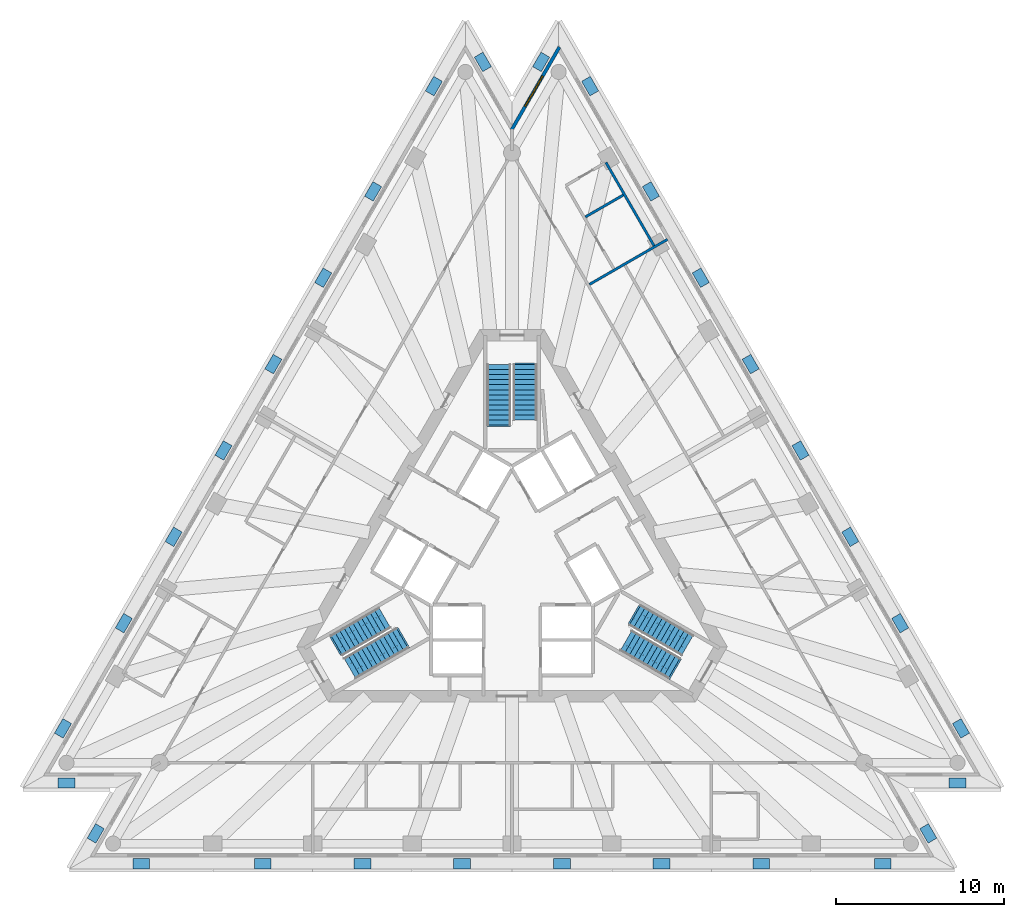
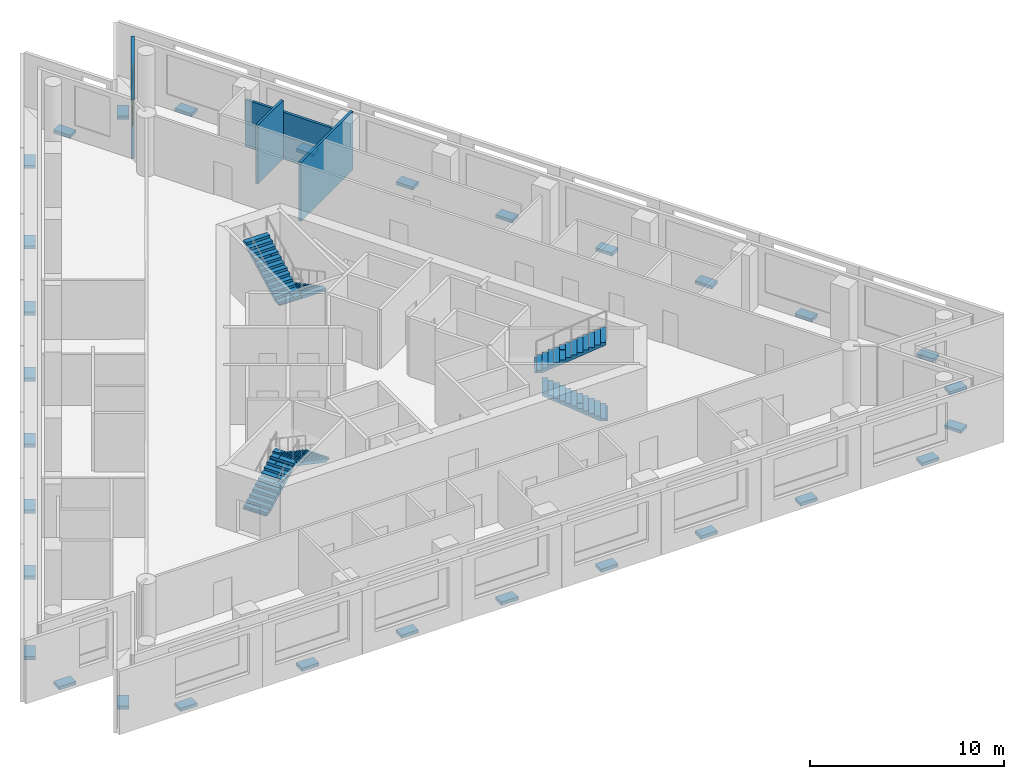
# One storey, part 7 of 9: 30 discrete accessories, 6 stair flights, 4 walls, 1 window, 1 opening, 3 elements without a shape of their own.
"""IFC4 building model written with IfcOpenShell, lengths in metres."""

import ifcopenshell
import ifcopenshell.guid

model = None  # the IFC model being written
_history = None  # IfcOwnerHistory: only IFC2X3 demands one
_inside = {}  # id of a spatial element -> (the spatial element, [elements in it])
_under = {}  # id of a project, library or spatial element -> (it, [spatial elements below it])
_declared = {}  # id of a project -> (the project, [libraries it declares])
_typed = {}  # id of a type object -> (the type object, [elements of that type])
_made_of = {}  # id of a material, layer set ... -> (it, [elements and type objects made of it])


def new_model(schema):
    """Start an empty IFC model of exactly this schema.

    Asked for "IFC4X3", IfcOpenShell would pick the latest addendum, in which some entities
    have other attributes; the version numbers below select the first issue.
    IFC2X3 requires an IfcOwnerHistory on every rooted entity: one is made here for all.
    """
    global model, _history
    if schema == "IFC4X3":
        model = ifcopenshell.file(schema_version=(4, 3, 0, 0))
    else:
        model = ifcopenshell.file(schema=schema)
    _inside.clear()
    _under.clear()
    _declared.clear()
    _typed.clear()
    _made_of.clear()
    _history = None
    if model.schema == "IFC2X3":
        org = make("IfcOrganization", Name="unknown")
        user = make(
            "IfcPersonAndOrganization",
            ThePerson=make("IfcPerson", FamilyName="unknown"),
            TheOrganization=org,
        )
        app = make(
            "IfcApplication",
            ApplicationDeveloper=org,
            Version="unknown",
            ApplicationFullName="unknown",
            ApplicationIdentifier="unknown",
        )
        _history = make(
            "IfcOwnerHistory",
            OwningUser=user,
            OwningApplication=app,
            ChangeAction="ADDED",
            CreationDate=0,
        )
    return model


def make(cls, **values):
    """One entity of the class cls with the attributes given. An attribute that is None is left unset."""
    return model.create_entity(
        cls, **{name: value for name, value in values.items() if value is not None}
    )


def rooted(cls, **values):
    """An entity with a GlobalId (a new one), such as an element, a storey or a relation."""
    return make(cls, GlobalId=ifcopenshell.guid.new(), OwnerHistory=_history, **values)


def si_unit(unit_type, name, prefix=None):
    """IfcSIUnit, for example si_unit("LENGTHUNIT", "METRE", prefix="MILLI")."""
    return make("IfcSIUnit", UnitType=unit_type, Prefix=prefix, Name=name)


def assignment(units):
    """IfcUnitAssignment: the units of a project."""
    return None if units is None else make("IfcUnitAssignment", Units=units)


def point(xyz):
    """IfcCartesianPoint."""
    return None if xyz is None else make("IfcCartesianPoint", Coordinates=xyz)


def direction(xyz):
    """IfcDirection."""
    return None if xyz is None else make("IfcDirection", DirectionRatios=xyz)


def frame(location, z_axis=None, x_axis=None):
    """IfcAxis2Placement3D, a coordinate frame: its origin and axes. An axis left out is left unset."""
    return make(
        "IfcAxis2Placement3D",
        Location=point(location),
        Axis=direction(z_axis),
        RefDirection=direction(x_axis),
    )


def frame_2d(location, x_axis=None):
    """IfcAxis2Placement2D, a coordinate frame in the plane: its origin and x axis."""
    return make(
        "IfcAxis2Placement2D", Location=point(location), RefDirection=direction(x_axis)
    )


def origin():
    """The frame at (0, 0, 0) with its axes left unset."""
    return frame((0.0, 0.0, 0.0))


def origin_2d():
    """The frame at (0, 0) in the plane with its x axis left unset."""
    return frame_2d((0.0, 0.0))


def place(relative_to, where):
    """IfcLocalPlacement: puts the frame where relative to a parent placement (None: the world)."""
    return make(
        "IfcLocalPlacement", PlacementRelTo=relative_to, RelativePlacement=where
    )


def context(
    kind, dimensions, precision=None, world=None, true_north=None, identifier=None
):
    """IfcGeometricRepresentationContext, for example the 3D "Model" context."""
    return make(
        "IfcGeometricRepresentationContext",
        ContextIdentifier=identifier,
        ContextType=kind,
        CoordinateSpaceDimension=dimensions,
        Precision=precision,
        WorldCoordinateSystem=world,
        TrueNorth=true_north,
    )


def subcontext(parent, identifier, kind, view, scale=None):
    """IfcGeometricRepresentationSubContext, for example "Body" below "Model"."""
    return make(
        "IfcGeometricRepresentationSubContext",
        ContextIdentifier=identifier,
        ContextType=kind,
        ParentContext=parent,
        TargetScale=scale,
        TargetView=view,
    )


def project(units=None, contexts=None):
    """IfcProject with its units and contexts."""
    return rooted(
        "IfcProject",
        Name="project",
        RepresentationContexts=contexts,
        UnitsInContext=assignment(units),
    )


def spatial(cls, under=None, at=None, **own):
    """A site, building, storey or space (cls), placed at a placement, below another one or the project."""
    s = rooted(cls, ObjectPlacement=at, **own)
    if under is not None:
        _under.setdefault(under.id(), (under, []))[1].append(s)
    return s


def polyline(points):
    """IfcPolyline through the points."""
    return make("IfcPolyline", Points=[point(p) for p in points])


def profile(cls, at=None, kind="AREA", **sizes):
    """A parametric profile (cls). Its sizes go by their IFC names, for example OverallWidth=200.0."""
    return make(cls, ProfileType=kind, Position=at, **sizes)


def rectangle(**sizes):
    """IfcRectangleProfileDef."""
    return profile("IfcRectangleProfileDef", **sizes)


def outline(outer, holes=None, kind="AREA"):
    """IfcArbitraryClosedProfileDef: a profile drawn as a closed curve; with holes, ...WithVoids."""
    if holes is None:
        return make("IfcArbitraryClosedProfileDef", ProfileType=kind, OuterCurve=outer)
    return make(
        "IfcArbitraryProfileDefWithVoids",
        ProfileType=kind,
        OuterCurve=outer,
        InnerCurves=holes,
    )


def extrude(swept, where, along, depth):
    """IfcExtrudedAreaSolid: the profile swept, set in the frame where, extruded along a direction by depth."""
    return make(
        "IfcExtrudedAreaSolid",
        SweptArea=swept,
        Position=where,
        ExtrudedDirection=direction(along),
        Depth=depth,
    )


def shape(context_of_items, identifier, shape_type, items):
    """IfcShapeRepresentation: the items that make up one representation, for example the "Body"."""
    return make(
        "IfcShapeRepresentation",
        ContextOfItems=context_of_items,
        RepresentationIdentifier=identifier,
        RepresentationType=shape_type,
        Items=items,
    )


def material(Name=None, Category=None):
    """IfcMaterial."""
    return make("IfcMaterial", Name=Name, Category=Category)


def layer(
    of_material, thickness, ventilated=None, Name=None, Category=None, Priority=None
):
    """IfcMaterialLayer: one layer of a wall or slab, of a material (None: an air gap)."""
    return make(
        "IfcMaterialLayer",
        Material=of_material,
        LayerThickness=thickness,
        IsVentilated=ventilated,
        Name=Name,
        Category=Category,
        Priority=Priority,
    )


def layer_set(layers, Name=None):
    """IfcMaterialLayerSet."""
    return make("IfcMaterialLayerSet", MaterialLayers=layers, LayerSetName=Name)


def layer_usage(for_layer_set, set_direction, sense, offset, extent=None):
    """IfcMaterialLayerSetUsage: how a layer set lies in its element."""
    return make(
        "IfcMaterialLayerSetUsage",
        ForLayerSet=for_layer_set,
        LayerSetDirection=set_direction,
        DirectionSense=sense,
        OffsetFromReferenceLine=offset,
        ReferenceExtent=extent,
    )


def made_of(thing, what):
    """Note that an element or type object is made of a material, layer set ...; save() writes the relation."""
    if what is not None:
        _made_of.setdefault(what.id(), (what, []))[1].append(thing)
    return thing


def type_object(cls, material=None, **own):
    """A type object (cls), such as IfcWallType, which elements share."""
    return made_of(rooted(cls, **own), material)


def element(
    cls,
    number,
    at=None,
    inside=None,
    cuts=None,
    type_object=None,
    material=None,
    context=None,
    identifier="Body",
    shape_type=None,
    held_by="IfcProductDefinitionShape",
    body=None,
    shapes=None,
    **own,
):
    """One element of the class cls, such as IfcWall. Its Tag is "e" and its number.

    at: its placement. inside: the storey or other place that contains it. cuts: it is an
    opening in that element (IfcRelVoidsElement). A single representation is given by context,
    identifier, shape_type and body (its items); several are given by shapes. held_by: the class
    of the entity that holds the representations. save() writes the other relations.
    """
    e = rooted(cls, Tag="e%d" % number, ObjectPlacement=at, **own)
    if body is not None:
        shapes = [shape(context, identifier, shape_type, body)]
    if shapes is not None:
        e.Representation = make(held_by, Representations=shapes)
    if inside is not None:
        _inside.setdefault(inside.id(), (inside, []))[1].append(e)
    if cuts is not None:
        rooted(
            "IfcRelVoidsElement", RelatingBuildingElement=cuts, RelatedOpeningElement=e
        )
    if type_object is not None:
        _typed.setdefault(type_object.id(), (type_object, []))[1].append(e)
    return made_of(e, material)


def fill(opening, filler):
    """IfcRelFillsElement: the door or window that sits in an opening."""
    return rooted(
        "IfcRelFillsElement",
        RelatingOpeningElement=opening,
        RelatedBuildingElement=filler,
    )


def aggregate(whole, parts):
    """IfcRelAggregates: a whole, such as a stair, and the parts it consists of."""
    return rooted("IfcRelAggregates", RelatingObject=whole, RelatedObjects=parts)


def save(model, path):
    """Write the relations noted so far, then the file.

    IfcRelAggregates (storeys below a building ...), IfcRelContainedInSpatialStructure (elements
    in a storey), IfcRelDefinesByType, IfcRelAssociatesMaterial and IfcRelDeclares: one each for
    every whole, place, type object, material and project.
    """
    for whole, parts in _under.values():
        aggregate(whole, parts)
    for where, things in _inside.values():
        rooted(
            "IfcRelContainedInSpatialStructure",
            RelatedElements=things,
            RelatingStructure=where,
        )
    for kind, things in _typed.values():
        rooted("IfcRelDefinesByType", RelatedObjects=things, RelatingType=kind)
    for what, things in _made_of.values():
        rooted("IfcRelAssociatesMaterial", RelatedObjects=things, RelatingMaterial=what)
    for by, libraries in _declared.values():
        rooted("IfcRelDeclares", RelatingContext=by, RelatedDefinitions=libraries)
    model.write(path)


model = new_model("IFC4")

# Units and contexts
model_context = context("Model", 3, precision=1e-05, world=origin(), true_north=direction((0.0, 1.0)))
body_context = subcontext(model_context, "Body", "Model", "MODEL_VIEW")
ifc_project = project(units=[si_unit("LENGTHUNIT", "METRE"), si_unit("AREAUNIT", "SQUARE_METRE"), si_unit("VOLUMEUNIT", "CUBIC_METRE"), si_unit("PLANEANGLEUNIT", "RADIAN"), si_unit("MASSUNIT", "GRAM", prefix="KILO")], contexts=[model_context])

# Site, building, storey
site_placement = place(None, origin())
site = spatial("IfcSite", under=ifc_project, at=site_placement, CompositionType="ELEMENT")
building_placement = place(site_placement, origin())
building = spatial("IfcBuilding", under=site, at=building_placement, Name="Triada Interchange Tower", CompositionType="ELEMENT")
storey_placement = place(building_placement, frame((0.0, 0.0, 231.300048828125)))
storey = spatial("IfcBuildingStorey", under=building, at=storey_placement, Name="L54", CompositionType="ELEMENT", Elevation=231.300048828125)

# Wall, opening, window
ifc_material_1 = material(Name="Cement board")
ifc_layer_1 = layer(ifc_material_1, 0.02001953125, Name="Cement board cladding")
ifc_material_2 = material(Name="Sheathing board")
ifc_layer_2 = layer(ifc_material_2, 0.014892578125, Name="Sheathing board")
ifc_material_3 = material(Name="Mineral wool")
ifc_layer_3 = layer(ifc_material_3, 0.14990234375, Name="Mineral wool between steel studs")
ifc_material_4 = material(Name="Gypsum board")
ifc_layer_4 = layer(ifc_material_4, 0.014892578125, Name="Plasterboard lining")
ifc_layer_set_1 = layer_set([ifc_layer_1, ifc_layer_2, ifc_layer_3, ifc_layer_4], Name="External wall 200")
ifc_layer_usage = layer_usage(ifc_layer_set_1, "AXIS2", "POSITIVE", -0.10009765625)
wall_type_1 = type_object("IfcWallType", Name="External wall 200", PredefinedType="ELEMENTEDWALL", material=ifc_layer_set_1)
wall_1_placement = place(storey_placement, frame((2.822021484375, 30.5009765625, 0.0), z_axis=(0.0, 0.0, 1.0), x_axis=(-0.49995298266, -0.866052547557, 0.0)))
wall_1 = element("IfcWall", 1, at=wall_1_placement, inside=storey, type_object=wall_type_1, material=ifc_layer_usage, Name="External wall L54 N-1", PredefinedType="ELEMENTEDWALL", context=body_context, shape_type="SweptSolid", body=[
    extrude(rectangle(XDim=5.71435546875, YDim=0.199951171875, at=frame_2d((2.857177734375, 0.0))), origin(), (0.0, 0.0, 1.0), 3.699951171875),
])
opening_placement = place(wall_1_placement, frame((1.989990234375, 0.0, 0.89990234375)))
opening = element("IfcOpeningElement", 2, at=opening_placement, cuts=wall_1, Name="Opening WC29", PredefinedType="OPENING", context=body_context, shape_type="SweptSolid", body=[
    extrude(rectangle(XDim=2.10009765625, YDim=2.5, at=frame_2d((1.050048828125, 1.25))), frame((0.0, 0.10986328125, 0.0), z_axis=(0.0, -1.0, 0.0), x_axis=(1.0, 0.0, 0.0)), (0.0, 0.0, 1.0), 0.219970703125),
])
ifc_material_5 = material(Name="Double glazed aluminium window", Category="aluminium")
window_type = type_object("IfcWindowType", Name="Ribbon window C pocket", PartitioningType="SINGLE_PANEL", PredefinedType="WINDOW", material=ifc_material_5)
window_placement = place(opening_placement, origin())
window = element("IfcWindow", 3, at=window_placement, inside=storey, type_object=window_type, Name="Window L54 N-1 1", OverallHeight=2.5, OverallWidth=2.10009765625, PartitioningType="SINGLE_PANEL", PredefinedType="WINDOW", context=body_context, shape_type="SweptSolid", body=[
    extrude(rectangle(XDim=2.10009765625, YDim=2.5, at=frame_2d((1.050048828125, 1.25))), frame((0.0, 0.030029296875, 0.0), z_axis=(0.0, -1.0, 0.0), x_axis=(1.0, 0.0, 0.0)), (0.0, 0.0, 1.0), 0.06005859375),
])
fill(opening, window)

# Walls
ifc_material_6 = material(Name="Gypsum board partition")
ifc_layer_5 = layer(ifc_material_6, 0.14990234375)
ifc_layer_set_2 = layer_set([ifc_layer_5], Name="PARTITION 150 EI 180")
wall_type_2 = type_object("IfcWallType", Name="PARTITION 150 EI 180", PredefinedType="PARTITIONING", material=ifc_layer_set_2)
wall_2_placement = place(storey_placement, frame((4.60693359375, 16.3701171875, 0.0), z_axis=(0.0, 0.0, 1.0), x_axis=(0.866052151752, 0.499953668299, 0.0)))
element("IfcWall", 4, at=wall_2_placement, inside=storey, type_object=wall_type_2, Name="Wall L53 23", PredefinedType="PARTITIONING", context=body_context, shape_type="SweptSolid", body=[
    extrude(rectangle(XDim=5.3623046875, YDim=0.14990234375, at=frame_2d((2.68115234375, 0.0))), origin(), (0.0, 0.0, 1.0), 3.699951171875),
])
ifc_layer_6 = layer(ifc_material_6, 0.14990234375)
ifc_layer_set_3 = layer_set([ifc_layer_6], Name="PARTITION 150 EI 90")
wall_type_3 = type_object("IfcWallType", Name="PARTITION 150 EI 90", PredefinedType="PARTITIONING", material=ifc_layer_set_3)
wall_3_placement = place(storey_placement, frame((4.365966796875, 20.387939453125, 0.0), z_axis=(0.0, 0.0, 1.0), x_axis=(0.8660749285, 0.499914210863, 0.0)))
element("IfcWall", 5, at=wall_3_placement, inside=storey, type_object=wall_type_3, Name="Wall L53 34", PredefinedType="PARTITIONING", context=body_context, shape_type="SweptSolid", body=[
    extrude(rectangle(XDim=2.6083984375, YDim=0.14990234375, at=frame_2d((1.30419921875, 0.0))), origin(), (0.0, 0.0, 1.0), 3.699951171875),
])
wall_4_placement = place(storey_placement, frame((5.590087890625, 23.635009765625, 0.0), z_axis=(0.0, 0.0, 1.0), x_axis=(0.500037442639, -0.866003785188, 0.0)))
element("IfcWall", 6, at=wall_4_placement, inside=storey, type_object=wall_type_3, Name="Wall L53 35", PredefinedType="PARTITIONING", context=body_context, shape_type="SweptSolid", body=[
    extrude(rectangle(XDim=5.72509765625, YDim=0.14990234375, at=frame_2d((2.862548828125, 0.0))), origin(), (0.0, 0.0, 1.0), 2.949951171875),
])

# Stair, stair flights
ifc_material_7 = material(Name="Concrete C35/45", Category="concrete")
stair_type = type_object("IfcStairType", Name="HALF TURN STAIR 1400", PredefinedType="HALF_TURN_STAIR", material=ifc_material_7)
stair_1_placement = place(storey_placement, origin())
stair_1 = element("IfcStair", 7, at=stair_1_placement, inside=storey, type_object=stair_type, Name="Exit stair S53-1", PredefinedType="HALF_TURN_STAIR")
stair_flight_type = type_object("IfcStairFlightType", Name="STRAIGHT STAIR FLIGHT 1400", PredefinedType="STRAIGHT", material=ifc_material_7)
stair_flight_1_placement = place(storey_placement, frame((0.800048828125, 11.60009765625, 0.0), z_axis=(0.0, 0.0, 1.0), x_axis=(0.0, -1.0, 0.0)))
stair_flight_1 = element("IfcStairFlight", 8, at=stair_flight_1_placement, type_object=stair_flight_type, Name="S53-1 flight 1", NumberOfRisers=12, NumberOfTreads=11, PredefinedType="STRAIGHT", RiserHeight=0.16, TreadLength=0.3, context=body_context, shape_type="SweptSolid", body=[
    extrude(outline(polyline([(-0.10009765625, 0.0), (-0.10009765625, 0.02001953125), (0.0, 0.02001953125), (0.0, 0.159912109375), (0.300048828125, 0.159912109375), (0.300048828125, 0.320068359375), (0.60009765625, 0.320068359375), (0.60009765625, 0.47998046875), (0.89990234375, 0.47998046875), (0.89990234375, 0.639892578125), (1.199951171875, 0.639892578125), (1.199951171875, 0.800048828125), (1.5, 0.800048828125), (1.5, 0.9599609375), (1.800048828125, 0.9599609375), (1.800048828125, 1.1201171875), (2.10009765625, 1.1201171875), (2.10009765625, 1.280029296875), (2.39990234375, 1.280029296875), (2.39990234375, 1.43994140625), (2.699951171875, 1.43994140625), (2.699951171875, 1.60009765625), (3.0, 1.60009765625), (3.0, 1.760009765625), (3.300048828125, 1.760009765625), (3.303955078125, 1.760009765625), (3.303955078125, 1.919921875), (3.303955078125, 1.590087890625), (0.318603515625, 0.0), (-0.10009765625, 0.0)])), frame((0.0, 0.699951171875, 0.0), z_axis=(0.0, -1.0, 0.0), x_axis=(1.0, 0.0, 0.0)), (0.0, 0.0, 1.0), 0.46533203125),
    extrude(outline(polyline([(-0.10009765625, 0.0), (-0.10009765625, 0.02001953125), (0.0, 0.02001953125), (0.0, 0.159912109375), (0.300048828125, 0.159912109375), (0.300048828125, 0.320068359375), (0.60009765625, 0.320068359375), (0.60009765625, 0.47998046875), (0.89990234375, 0.47998046875), (0.89990234375, 0.639892578125), (1.199951171875, 0.639892578125), (1.199951171875, 0.800048828125), (1.5, 0.800048828125), (1.5, 0.9599609375), (1.800048828125, 0.9599609375), (1.800048828125, 1.1201171875), (2.10009765625, 1.1201171875), (2.10009765625, 1.280029296875), (2.39990234375, 1.280029296875), (2.39990234375, 1.43994140625), (2.699951171875, 1.43994140625), (2.699951171875, 1.60009765625), (3.0, 1.60009765625), (3.0, 1.760009765625), (3.300048828125, 1.760009765625), (3.303955078125, 1.760009765625), (3.303955078125, 1.919921875), (3.303955078125, 1.590087890625), (0.318603515625, 0.0), (-0.10009765625, 0.0)])), frame((0.0, 0.232666015625, 0.0), z_axis=(0.0, -1.0, 0.0), x_axis=(1.0, 0.0, 0.0)), (0.0, 0.0, 1.0), 0.46533203125),
    extrude(outline(polyline([(-0.10009765625, 0.0), (-0.10009765625, 0.02001953125), (0.0, 0.02001953125), (0.0, 0.159912109375), (0.300048828125, 0.159912109375), (0.300048828125, 0.320068359375), (0.60009765625, 0.320068359375), (0.60009765625, 0.47998046875), (0.89990234375, 0.47998046875), (0.89990234375, 0.639892578125), (1.199951171875, 0.639892578125), (1.199951171875, 0.800048828125), (1.5, 0.800048828125), (1.5, 0.9599609375), (1.800048828125, 0.9599609375), (1.800048828125, 1.1201171875), (2.10009765625, 1.1201171875), (2.10009765625, 1.280029296875), (2.39990234375, 1.280029296875), (2.39990234375, 1.43994140625), (2.699951171875, 1.43994140625), (2.699951171875, 1.60009765625), (3.0, 1.60009765625), (3.0, 1.760009765625), (3.300048828125, 1.760009765625), (3.303955078125, 1.760009765625), (3.303955078125, 1.919921875), (3.303955078125, 1.590087890625), (0.318603515625, 0.0), (-0.10009765625, 0.0)])), frame((0.0, -0.234619140625, 0.0), z_axis=(0.0, -1.0, 0.0), x_axis=(1.0, 0.0, 0.0)), (0.0, 0.0, 1.0), 0.46533203125),
])
stair_flight_2_placement = place(storey_placement, frame((-0.800048828125, 8.0, 1.919921875), z_axis=(0.0, 0.0, 1.0), x_axis=(0.0, 1.0, 0.0)))
stair_flight_2 = element("IfcStairFlight", 9, at=stair_flight_2_placement, type_object=stair_flight_type, Name="S53-1 flight 2", NumberOfRisers=13, NumberOfTreads=12, PredefinedType="STRAIGHT", RiserHeight=0.16, TreadLength=0.3, context=body_context, shape_type="SweptSolid", body=[
    extrude(outline(polyline([(-0.10009765625, 0.0), (-0.10009765625, 0.02001953125), (0.0, 0.02001953125), (0.0, 0.159912109375), (0.300048828125, 0.159912109375), (0.300048828125, 0.320068359375), (0.60009765625, 0.320068359375), (0.60009765625, 0.47998046875), (0.89990234375, 0.47998046875), (0.89990234375, 0.639892578125), (1.199951171875, 0.639892578125), (1.199951171875, 0.800048828125), (1.5, 0.800048828125), (1.5, 0.9599609375), (1.800048828125, 0.9599609375), (1.800048828125, 1.1201171875), (2.10009765625, 1.1201171875), (2.10009765625, 1.280029296875), (2.39990234375, 1.280029296875), (2.39990234375, 1.43994140625), (2.699951171875, 1.43994140625), (2.699951171875, 1.60009765625), (3.0, 1.60009765625), (3.0, 1.760009765625), (3.300048828125, 1.760009765625), (3.300048828125, 1.919921875), (3.60009765625, 1.919921875), (3.60400390625, 1.919921875), (3.60400390625, 2.080078125), (3.60400390625, 1.75), (0.318603515625, 0.0), (-0.10009765625, 0.0)])), frame((0.0, 0.699951171875, 0.0), z_axis=(0.0, -1.0, 0.0), x_axis=(1.0, 0.0, 0.0)), (0.0, 0.0, 1.0), 0.46533203125),
    extrude(outline(polyline([(-0.10009765625, 0.0), (-0.10009765625, 0.02001953125), (0.0, 0.02001953125), (0.0, 0.159912109375), (0.300048828125, 0.159912109375), (0.300048828125, 0.320068359375), (0.60009765625, 0.320068359375), (0.60009765625, 0.47998046875), (0.89990234375, 0.47998046875), (0.89990234375, 0.639892578125), (1.199951171875, 0.639892578125), (1.199951171875, 0.800048828125), (1.5, 0.800048828125), (1.5, 0.9599609375), (1.800048828125, 0.9599609375), (1.800048828125, 1.1201171875), (2.10009765625, 1.1201171875), (2.10009765625, 1.280029296875), (2.39990234375, 1.280029296875), (2.39990234375, 1.43994140625), (2.699951171875, 1.43994140625), (2.699951171875, 1.60009765625), (3.0, 1.60009765625), (3.0, 1.760009765625), (3.300048828125, 1.760009765625), (3.300048828125, 1.919921875), (3.60009765625, 1.919921875), (3.60400390625, 1.919921875), (3.60400390625, 2.080078125), (3.60400390625, 1.75), (0.318603515625, 0.0), (-0.10009765625, 0.0)])), frame((0.0, 0.232666015625, 0.0), z_axis=(0.0, -1.0, 0.0), x_axis=(1.0, 0.0, 0.0)), (0.0, 0.0, 1.0), 0.46533203125),
    extrude(outline(polyline([(-0.10009765625, 0.0), (-0.10009765625, 0.02001953125), (0.0, 0.02001953125), (0.0, 0.159912109375), (0.300048828125, 0.159912109375), (0.300048828125, 0.320068359375), (0.60009765625, 0.320068359375), (0.60009765625, 0.47998046875), (0.89990234375, 0.47998046875), (0.89990234375, 0.639892578125), (1.199951171875, 0.639892578125), (1.199951171875, 0.800048828125), (1.5, 0.800048828125), (1.5, 0.9599609375), (1.800048828125, 0.9599609375), (1.800048828125, 1.1201171875), (2.10009765625, 1.1201171875), (2.10009765625, 1.280029296875), (2.39990234375, 1.280029296875), (2.39990234375, 1.43994140625), (2.699951171875, 1.43994140625), (2.699951171875, 1.60009765625), (3.0, 1.60009765625), (3.0, 1.760009765625), (3.300048828125, 1.760009765625), (3.300048828125, 1.919921875), (3.60009765625, 1.919921875), (3.60400390625, 1.919921875), (3.60400390625, 2.080078125), (3.60400390625, 1.75), (0.318603515625, 0.0), (-0.10009765625, 0.0)])), frame((0.0, -0.234619140625, 0.0), z_axis=(0.0, -1.0, 0.0), x_axis=(1.0, 0.0, 0.0)), (0.0, 0.0, 1.0), 0.46533203125),
])
aggregate(stair_1, [stair_flight_1, stair_flight_2])

stair_2_placement = place(storey_placement, origin())
stair_2 = element("IfcStair", 10, at=stair_2_placement, inside=storey, type_object=stair_type, Name="Exit stair S53-2", PredefinedType="HALF_TURN_STAIR")
stair_flight_3_placement = place(storey_placement, frame((-10.446044921875, -5.10693359375, 0.0), z_axis=(0.0, 0.0, 1.0), x_axis=(0.866025403784, 0.5, 0.0)))
stair_flight_3 = element("IfcStairFlight", 11, at=stair_flight_3_placement, type_object=stair_flight_type, Name="S53-2 flight 1", NumberOfRisers=12, NumberOfTreads=11, PredefinedType="STRAIGHT", RiserHeight=0.16, TreadLength=0.3, context=body_context, shape_type="SweptSolid", body=[
    extrude(outline(polyline([(-0.10009765625, 0.0), (-0.10009765625, 0.02001953125), (0.0, 0.02001953125), (0.0, 0.159912109375), (0.300048828125, 0.159912109375), (0.300048828125, 0.320068359375), (0.60009765625, 0.320068359375), (0.60009765625, 0.47998046875), (0.89990234375, 0.47998046875), (0.89990234375, 0.639892578125), (1.199951171875, 0.639892578125), (1.199951171875, 0.800048828125), (1.5, 0.800048828125), (1.5, 0.9599609375), (1.800048828125, 0.9599609375), (1.800048828125, 1.1201171875), (2.10009765625, 1.1201171875), (2.10009765625, 1.280029296875), (2.39990234375, 1.280029296875), (2.39990234375, 1.43994140625), (2.699951171875, 1.43994140625), (2.699951171875, 1.60009765625), (3.0, 1.60009765625), (3.0, 1.760009765625), (3.300048828125, 1.760009765625), (3.303955078125, 1.760009765625), (3.303955078125, 1.919921875), (3.303955078125, 1.590087890625), (0.318603515625, 0.0), (-0.10009765625, 0.0)])), frame((0.0, 0.699951171875, 0.0), z_axis=(0.0, -1.0, 0.0), x_axis=(1.0, 0.0, 0.0)), (0.0, 0.0, 1.0), 0.46533203125),
    extrude(outline(polyline([(-0.10009765625, 0.0), (-0.10009765625, 0.02001953125), (0.0, 0.02001953125), (0.0, 0.159912109375), (0.300048828125, 0.159912109375), (0.300048828125, 0.320068359375), (0.60009765625, 0.320068359375), (0.60009765625, 0.47998046875), (0.89990234375, 0.47998046875), (0.89990234375, 0.639892578125), (1.199951171875, 0.639892578125), (1.199951171875, 0.800048828125), (1.5, 0.800048828125), (1.5, 0.9599609375), (1.800048828125, 0.9599609375), (1.800048828125, 1.1201171875), (2.10009765625, 1.1201171875), (2.10009765625, 1.280029296875), (2.39990234375, 1.280029296875), (2.39990234375, 1.43994140625), (2.699951171875, 1.43994140625), (2.699951171875, 1.60009765625), (3.0, 1.60009765625), (3.0, 1.760009765625), (3.300048828125, 1.760009765625), (3.303955078125, 1.760009765625), (3.303955078125, 1.919921875), (3.303955078125, 1.590087890625), (0.318603515625, 0.0), (-0.10009765625, 0.0)])), frame((0.0, 0.232666015625, 0.0), z_axis=(0.0, -1.0, 0.0), x_axis=(1.0, 0.0, 0.0)), (0.0, 0.0, 1.0), 0.46533203125),
    extrude(outline(polyline([(-0.10009765625, 0.0), (-0.10009765625, 0.02001953125), (0.0, 0.02001953125), (0.0, 0.159912109375), (0.300048828125, 0.159912109375), (0.300048828125, 0.320068359375), (0.60009765625, 0.320068359375), (0.60009765625, 0.47998046875), (0.89990234375, 0.47998046875), (0.89990234375, 0.639892578125), (1.199951171875, 0.639892578125), (1.199951171875, 0.800048828125), (1.5, 0.800048828125), (1.5, 0.9599609375), (1.800048828125, 0.9599609375), (1.800048828125, 1.1201171875), (2.10009765625, 1.1201171875), (2.10009765625, 1.280029296875), (2.39990234375, 1.280029296875), (2.39990234375, 1.43994140625), (2.699951171875, 1.43994140625), (2.699951171875, 1.60009765625), (3.0, 1.60009765625), (3.0, 1.760009765625), (3.300048828125, 1.760009765625), (3.303955078125, 1.760009765625), (3.303955078125, 1.919921875), (3.303955078125, 1.590087890625), (0.318603515625, 0.0), (-0.10009765625, 0.0)])), frame((0.0, -0.234619140625, 0.0), z_axis=(0.0, -1.0, 0.0), x_axis=(1.0, 0.0, 0.0)), (0.0, 0.0, 1.0), 0.46533203125),
])
stair_flight_4_placement = place(storey_placement, frame((-6.528076171875, -4.693115234375, 1.919921875), z_axis=(0.0, 0.0, 1.0), x_axis=(-0.866025403784, -0.5, 0.0)))
stair_flight_4 = element("IfcStairFlight", 12, at=stair_flight_4_placement, type_object=stair_flight_type, Name="S53-2 flight 2", NumberOfRisers=13, NumberOfTreads=12, PredefinedType="STRAIGHT", RiserHeight=0.16, TreadLength=0.3, context=body_context, shape_type="SweptSolid", body=[
    extrude(outline(polyline([(-0.10009765625, 0.0), (-0.10009765625, 0.02001953125), (0.0, 0.02001953125), (0.0, 0.159912109375), (0.300048828125, 0.159912109375), (0.300048828125, 0.320068359375), (0.60009765625, 0.320068359375), (0.60009765625, 0.47998046875), (0.89990234375, 0.47998046875), (0.89990234375, 0.639892578125), (1.199951171875, 0.639892578125), (1.199951171875, 0.800048828125), (1.5, 0.800048828125), (1.5, 0.9599609375), (1.800048828125, 0.9599609375), (1.800048828125, 1.1201171875), (2.10009765625, 1.1201171875), (2.10009765625, 1.280029296875), (2.39990234375, 1.280029296875), (2.39990234375, 1.43994140625), (2.699951171875, 1.43994140625), (2.699951171875, 1.60009765625), (3.0, 1.60009765625), (3.0, 1.760009765625), (3.300048828125, 1.760009765625), (3.300048828125, 1.919921875), (3.60009765625, 1.919921875), (3.60400390625, 1.919921875), (3.60400390625, 2.080078125), (3.60400390625, 1.75), (0.318603515625, 0.0), (-0.10009765625, 0.0)])), frame((0.0, 0.699951171875, 0.0), z_axis=(0.0, -1.0, 0.0), x_axis=(1.0, 0.0, 0.0)), (0.0, 0.0, 1.0), 0.46533203125),
    extrude(outline(polyline([(-0.10009765625, 0.0), (-0.10009765625, 0.02001953125), (0.0, 0.02001953125), (0.0, 0.159912109375), (0.300048828125, 0.159912109375), (0.300048828125, 0.320068359375), (0.60009765625, 0.320068359375), (0.60009765625, 0.47998046875), (0.89990234375, 0.47998046875), (0.89990234375, 0.639892578125), (1.199951171875, 0.639892578125), (1.199951171875, 0.800048828125), (1.5, 0.800048828125), (1.5, 0.9599609375), (1.800048828125, 0.9599609375), (1.800048828125, 1.1201171875), (2.10009765625, 1.1201171875), (2.10009765625, 1.280029296875), (2.39990234375, 1.280029296875), (2.39990234375, 1.43994140625), (2.699951171875, 1.43994140625), (2.699951171875, 1.60009765625), (3.0, 1.60009765625), (3.0, 1.760009765625), (3.300048828125, 1.760009765625), (3.300048828125, 1.919921875), (3.60009765625, 1.919921875), (3.60400390625, 1.919921875), (3.60400390625, 2.080078125), (3.60400390625, 1.75), (0.318603515625, 0.0), (-0.10009765625, 0.0)])), frame((0.0, 0.232666015625, 0.0), z_axis=(0.0, -1.0, 0.0), x_axis=(1.0, 0.0, 0.0)), (0.0, 0.0, 1.0), 0.46533203125),
    extrude(outline(polyline([(-0.10009765625, 0.0), (-0.10009765625, 0.02001953125), (0.0, 0.02001953125), (0.0, 0.159912109375), (0.300048828125, 0.159912109375), (0.300048828125, 0.320068359375), (0.60009765625, 0.320068359375), (0.60009765625, 0.47998046875), (0.89990234375, 0.47998046875), (0.89990234375, 0.639892578125), (1.199951171875, 0.639892578125), (1.199951171875, 0.800048828125), (1.5, 0.800048828125), (1.5, 0.9599609375), (1.800048828125, 0.9599609375), (1.800048828125, 1.1201171875), (2.10009765625, 1.1201171875), (2.10009765625, 1.280029296875), (2.39990234375, 1.280029296875), (2.39990234375, 1.43994140625), (2.699951171875, 1.43994140625), (2.699951171875, 1.60009765625), (3.0, 1.60009765625), (3.0, 1.760009765625), (3.300048828125, 1.760009765625), (3.300048828125, 1.919921875), (3.60009765625, 1.919921875), (3.60400390625, 1.919921875), (3.60400390625, 2.080078125), (3.60400390625, 1.75), (0.318603515625, 0.0), (-0.10009765625, 0.0)])), frame((0.0, -0.234619140625, 0.0), z_axis=(0.0, -1.0, 0.0), x_axis=(1.0, 0.0, 0.0)), (0.0, 0.0, 1.0), 0.46533203125),
])
aggregate(stair_2, [stair_flight_3, stair_flight_4])

stair_3_placement = place(storey_placement, origin())
stair_3 = element("IfcStair", 13, at=stair_3_placement, inside=storey, type_object=stair_type, Name="Exit stair S53-3", PredefinedType="HALF_TURN_STAIR")
stair_flight_5_placement = place(storey_placement, frame((9.64599609375, -6.492919921875, 0.0), z_axis=(0.0, 0.0, 1.0), x_axis=(-0.866025403784, 0.5, 0.0)))
stair_flight_5 = element("IfcStairFlight", 14, at=stair_flight_5_placement, type_object=stair_flight_type, Name="S53-3 flight 1", NumberOfRisers=12, NumberOfTreads=11, PredefinedType="STRAIGHT", RiserHeight=0.16, TreadLength=0.3, context=body_context, shape_type="SweptSolid", body=[
    extrude(outline(polyline([(-0.10009765625, 0.0), (-0.10009765625, 0.02001953125), (0.0, 0.02001953125), (0.0, 0.159912109375), (0.300048828125, 0.159912109375), (0.300048828125, 0.320068359375), (0.60009765625, 0.320068359375), (0.60009765625, 0.47998046875), (0.89990234375, 0.47998046875), (0.89990234375, 0.639892578125), (1.199951171875, 0.639892578125), (1.199951171875, 0.800048828125), (1.5, 0.800048828125), (1.5, 0.9599609375), (1.800048828125, 0.9599609375), (1.800048828125, 1.1201171875), (2.10009765625, 1.1201171875), (2.10009765625, 1.280029296875), (2.39990234375, 1.280029296875), (2.39990234375, 1.43994140625), (2.699951171875, 1.43994140625), (2.699951171875, 1.60009765625), (3.0, 1.60009765625), (3.0, 1.760009765625), (3.300048828125, 1.760009765625), (3.303955078125, 1.760009765625), (3.303955078125, 1.919921875), (3.303955078125, 1.590087890625), (0.318603515625, 0.0), (-0.10009765625, 0.0)])), frame((0.0, 0.699951171875, 0.0), z_axis=(0.0, -1.0, 0.0), x_axis=(1.0, 0.0, 0.0)), (0.0, 0.0, 1.0), 0.46533203125),
    extrude(outline(polyline([(-0.10009765625, 0.0), (-0.10009765625, 0.02001953125), (0.0, 0.02001953125), (0.0, 0.159912109375), (0.300048828125, 0.159912109375), (0.300048828125, 0.320068359375), (0.60009765625, 0.320068359375), (0.60009765625, 0.47998046875), (0.89990234375, 0.47998046875), (0.89990234375, 0.639892578125), (1.199951171875, 0.639892578125), (1.199951171875, 0.800048828125), (1.5, 0.800048828125), (1.5, 0.9599609375), (1.800048828125, 0.9599609375), (1.800048828125, 1.1201171875), (2.10009765625, 1.1201171875), (2.10009765625, 1.280029296875), (2.39990234375, 1.280029296875), (2.39990234375, 1.43994140625), (2.699951171875, 1.43994140625), (2.699951171875, 1.60009765625), (3.0, 1.60009765625), (3.0, 1.760009765625), (3.300048828125, 1.760009765625), (3.303955078125, 1.760009765625), (3.303955078125, 1.919921875), (3.303955078125, 1.590087890625), (0.318603515625, 0.0), (-0.10009765625, 0.0)])), frame((0.0, 0.232666015625, 0.0), z_axis=(0.0, -1.0, 0.0), x_axis=(1.0, 0.0, 0.0)), (0.0, 0.0, 1.0), 0.46533203125),
    extrude(outline(polyline([(-0.10009765625, 0.0), (-0.10009765625, 0.02001953125), (0.0, 0.02001953125), (0.0, 0.159912109375), (0.300048828125, 0.159912109375), (0.300048828125, 0.320068359375), (0.60009765625, 0.320068359375), (0.60009765625, 0.47998046875), (0.89990234375, 0.47998046875), (0.89990234375, 0.639892578125), (1.199951171875, 0.639892578125), (1.199951171875, 0.800048828125), (1.5, 0.800048828125), (1.5, 0.9599609375), (1.800048828125, 0.9599609375), (1.800048828125, 1.1201171875), (2.10009765625, 1.1201171875), (2.10009765625, 1.280029296875), (2.39990234375, 1.280029296875), (2.39990234375, 1.43994140625), (2.699951171875, 1.43994140625), (2.699951171875, 1.60009765625), (3.0, 1.60009765625), (3.0, 1.760009765625), (3.300048828125, 1.760009765625), (3.303955078125, 1.760009765625), (3.303955078125, 1.919921875), (3.303955078125, 1.590087890625), (0.318603515625, 0.0), (-0.10009765625, 0.0)])), frame((0.0, -0.234619140625, 0.0), z_axis=(0.0, -1.0, 0.0), x_axis=(1.0, 0.0, 0.0)), (0.0, 0.0, 1.0), 0.46533203125),
])
stair_flight_6_placement = place(storey_placement, frame((7.327880859375, -3.306884765625, 1.919921875), z_axis=(0.0, 0.0, 1.0), x_axis=(0.866025403784, -0.5, 0.0)))
stair_flight_6 = element("IfcStairFlight", 15, at=stair_flight_6_placement, type_object=stair_flight_type, Name="S53-3 flight 2", NumberOfRisers=13, NumberOfTreads=12, PredefinedType="STRAIGHT", RiserHeight=0.16, TreadLength=0.3, context=body_context, shape_type="SweptSolid", body=[
    extrude(outline(polyline([(-0.10009765625, 0.0), (-0.10009765625, 0.02001953125), (0.0, 0.02001953125), (0.0, 0.159912109375), (0.300048828125, 0.159912109375), (0.300048828125, 0.320068359375), (0.60009765625, 0.320068359375), (0.60009765625, 0.47998046875), (0.89990234375, 0.47998046875), (0.89990234375, 0.639892578125), (1.199951171875, 0.639892578125), (1.199951171875, 0.800048828125), (1.5, 0.800048828125), (1.5, 0.9599609375), (1.800048828125, 0.9599609375), (1.800048828125, 1.1201171875), (2.10009765625, 1.1201171875), (2.10009765625, 1.280029296875), (2.39990234375, 1.280029296875), (2.39990234375, 1.43994140625), (2.699951171875, 1.43994140625), (2.699951171875, 1.60009765625), (3.0, 1.60009765625), (3.0, 1.760009765625), (3.300048828125, 1.760009765625), (3.300048828125, 1.919921875), (3.60009765625, 1.919921875), (3.60400390625, 1.919921875), (3.60400390625, 2.080078125), (3.60400390625, 1.75), (0.318603515625, 0.0), (-0.10009765625, 0.0)])), frame((0.0, 0.699951171875, 0.0), z_axis=(0.0, -1.0, 0.0), x_axis=(1.0, 0.0, 0.0)), (0.0, 0.0, 1.0), 0.46533203125),
    extrude(outline(polyline([(-0.10009765625, 0.0), (-0.10009765625, 0.02001953125), (0.0, 0.02001953125), (0.0, 0.159912109375), (0.300048828125, 0.159912109375), (0.300048828125, 0.320068359375), (0.60009765625, 0.320068359375), (0.60009765625, 0.47998046875), (0.89990234375, 0.47998046875), (0.89990234375, 0.639892578125), (1.199951171875, 0.639892578125), (1.199951171875, 0.800048828125), (1.5, 0.800048828125), (1.5, 0.9599609375), (1.800048828125, 0.9599609375), (1.800048828125, 1.1201171875), (2.10009765625, 1.1201171875), (2.10009765625, 1.280029296875), (2.39990234375, 1.280029296875), (2.39990234375, 1.43994140625), (2.699951171875, 1.43994140625), (2.699951171875, 1.60009765625), (3.0, 1.60009765625), (3.0, 1.760009765625), (3.300048828125, 1.760009765625), (3.300048828125, 1.919921875), (3.60009765625, 1.919921875), (3.60400390625, 1.919921875), (3.60400390625, 2.080078125), (3.60400390625, 1.75), (0.318603515625, 0.0), (-0.10009765625, 0.0)])), frame((0.0, 0.232666015625, 0.0), z_axis=(0.0, -1.0, 0.0), x_axis=(1.0, 0.0, 0.0)), (0.0, 0.0, 1.0), 0.46533203125),
    extrude(outline(polyline([(-0.10009765625, 0.0), (-0.10009765625, 0.02001953125), (0.0, 0.02001953125), (0.0, 0.159912109375), (0.300048828125, 0.159912109375), (0.300048828125, 0.320068359375), (0.60009765625, 0.320068359375), (0.60009765625, 0.47998046875), (0.89990234375, 0.47998046875), (0.89990234375, 0.639892578125), (1.199951171875, 0.639892578125), (1.199951171875, 0.800048828125), (1.5, 0.800048828125), (1.5, 0.9599609375), (1.800048828125, 0.9599609375), (1.800048828125, 1.1201171875), (2.10009765625, 1.1201171875), (2.10009765625, 1.280029296875), (2.39990234375, 1.280029296875), (2.39990234375, 1.43994140625), (2.699951171875, 1.43994140625), (2.699951171875, 1.60009765625), (3.0, 1.60009765625), (3.0, 1.760009765625), (3.300048828125, 1.760009765625), (3.300048828125, 1.919921875), (3.60009765625, 1.919921875), (3.60400390625, 1.919921875), (3.60400390625, 2.080078125), (3.60400390625, 1.75), (0.318603515625, 0.0), (-0.10009765625, 0.0)])), frame((0.0, -0.234619140625, 0.0), z_axis=(0.0, -1.0, 0.0), x_axis=(1.0, 0.0, 0.0)), (0.0, 0.0, 1.0), 0.46533203125),
])
aggregate(stair_3, [stair_flight_5, stair_flight_6])

# Discrete accessories
ifc_material_8 = material(Name="Steel S355", Category="steel")
discrete_accessory_type = type_object("IfcDiscreteAccessoryType", Name="Steel bracket outer skin", PredefinedType="BRACKET", material=ifc_material_8)
for number, where, z_axis, x_axis, name in (
    (16, (-4.65087890625, 28.177001953125, -0.27001953125), (0.0, 0.0, 1.0), (-0.866014154918, 0.500019483102, 0.0), "Bracket L54 01"),
    (17, (-8.26904296875, 21.910888671875, -0.27001953125), (0.0, 0.0, 1.0), (-0.866014154918, 0.500019483102, 0.0), "Bracket L54 02"),
    (18, (-11.237060546875, 16.77001953125, -0.27001953125), (0.0, 0.0, 1.0), (-0.866014154918, 0.500019483102, 0.0), "Bracket L54 03"),
    (19, (-14.2060546875, 11.62890625, -0.27001953125), (0.0, 0.0, 1.0), (-0.866014154918, 0.500019483102, 0.0), "Bracket L54 04"),
    (20, (-17.174072265625, 6.488037109375, -0.27001953125), (0.0, 0.0, 1.0), (-0.866014154918, 0.500019483102, 0.0), "Bracket L54 05"),
    (21, (-20.14208984375, 1.346923828125, -0.27001953125), (0.0, 0.0, 1.0), (-0.866014154918, 0.500019483102, 0.0), "Bracket L54 06"),
    (22, (-23.111083984375, -3.7939453125, -0.27001953125), (0.0, 0.0, 1.0), (-0.866014154918, 0.500019483102, 0.0), "Bracket L54 07"),
    (23, (-26.72900390625, -10.06005859375, -0.27001953125), (0.0, 0.0, 1.0), (-0.866014154918, 0.500019483102, 0.0), "Bracket L54 08"),
    (24, (-26.51806640625, -13.305908203125, -0.27001953125), (0.0, 0.0, 1.0), (0.0, -1.0, 0.0), "Bracket L54 09"),
    (25, (-24.781982421875, -16.31103515625, -0.27001953125), (0.0, 0.0, 1.0), (-0.86607467895, 0.499914643197, 0.0), "Bracket L54 10"),
    (26, (-22.076904296875, -18.116943359375, -0.27001953125), (0.0, 0.0, 1.0), (0.0, -1.0, 0.0), "Bracket L54 11"),
    (27, (-14.841064453125, -18.116943359375, -0.27001953125), (0.0, 0.0, 1.0), (0.0, -1.0, 0.0), "Bracket L54 12"),
    (28, (-8.905029296875, -18.116943359375, -0.27001953125), (0.0, 0.0, 1.0), (0.0, -1.0, 0.0), "Bracket L54 13"),
    (29, (-2.968017578125, -18.116943359375, -0.27001953125), (0.0, 0.0, 1.0), (0.0, -1.0, 0.0), "Bracket L54 14"),
    (30, (2.968017578125, -18.116943359375, -0.27001953125), (0.0, 0.0, 1.0), (0.0, -1.0, 0.0), "Bracket L54 15"),
    (31, (8.905029296875, -18.116943359375, -0.27001953125), (0.0, 0.0, 1.0), (0.0, -1.0, 0.0), "Bracket L54 16"),
    (32, (14.841064453125, -18.116943359375, -0.27001953125), (0.0, 0.0, 1.0), (0.0, -1.0, 0.0), "Bracket L54 17"),
    (33, (22.076904296875, -18.116943359375, -0.27001953125), (0.0, 0.0, 1.0), (0.0, -1.0, 0.0), "Bracket L54 18"),
    (34, (24.781982421875, -16.31103515625, -0.27001953125), (0.0, 0.0, 1.0), (0.86607467895, 0.499914643197, 0.0), "Bracket L54 19"),
    (35, (26.51806640625, -13.305908203125, -0.27001953125), (0.0, 0.0, 1.0), (0.0, -1.0, 0.0), "Bracket L54 20"),
    (36, (26.72900390625, -10.06005859375, -0.27001953125), (0.0, 0.0, 1.0), (0.866014154918, 0.500019483102, 0.0), "Bracket L54 21"),
    (37, (23.111083984375, -3.7939453125, -0.27001953125), (0.0, 0.0, 1.0), (0.866014154918, 0.500019483102, 0.0), "Bracket L54 22"),
    (38, (20.14208984375, 1.346923828125, -0.27001953125), (0.0, 0.0, 1.0), (0.866014154918, 0.500019483102, 0.0), "Bracket L54 23"),
    (39, (17.174072265625, 6.488037109375, -0.27001953125), (0.0, 0.0, 1.0), (0.866014154918, 0.500019483102, 0.0), "Bracket L54 24"),
    (40, (14.2060546875, 11.62890625, -0.27001953125), (0.0, 0.0, 1.0), (0.866014154918, 0.500019483102, 0.0), "Bracket L54 25"),
    (41, (11.237060546875, 16.77001953125, -0.27001953125), (0.0, 0.0, 1.0), (0.866014154918, 0.500019483102, 0.0), "Bracket L54 26"),
    (42, (8.26904296875, 21.910888671875, -0.27001953125), (0.0, 0.0, 1.0), (0.866014154918, 0.500019483102, 0.0), "Bracket L54 27"),
    (43, (4.65087890625, 28.177001953125, -0.27001953125), (0.0, 0.0, 1.0), (0.866014154918, 0.500019483102, 0.0), "Bracket L54 28"),
    (44, (1.735107421875, 29.617919921875, -0.27001953125), (0.0, 0.0, 1.0), (-0.866029679809, 0.499992593634, 0.0), "Bracket L54 29"),
    (45, (-1.735107421875, 29.617919921875, -0.27001953125), (0.0, 0.0, 1.0), (0.866029679809, 0.499992593634, 0.0), "Bracket L54 30"),
):
    element("IfcDiscreteAccessory", number, at=place(storey_placement, frame(where, z_axis=z_axis, x_axis=x_axis)), inside=storey, type_object=discrete_accessory_type, Name=name, PredefinedType="BRACKET", context=body_context, shape_type="SweptSolid", body=[
        extrude(rectangle(XDim=0.60009765625, YDim=1.0, at=origin_2d()), origin(), (0.0, 0.0, 1.0), 0.199951171875),
    ])

save(model, "model.ifc")
